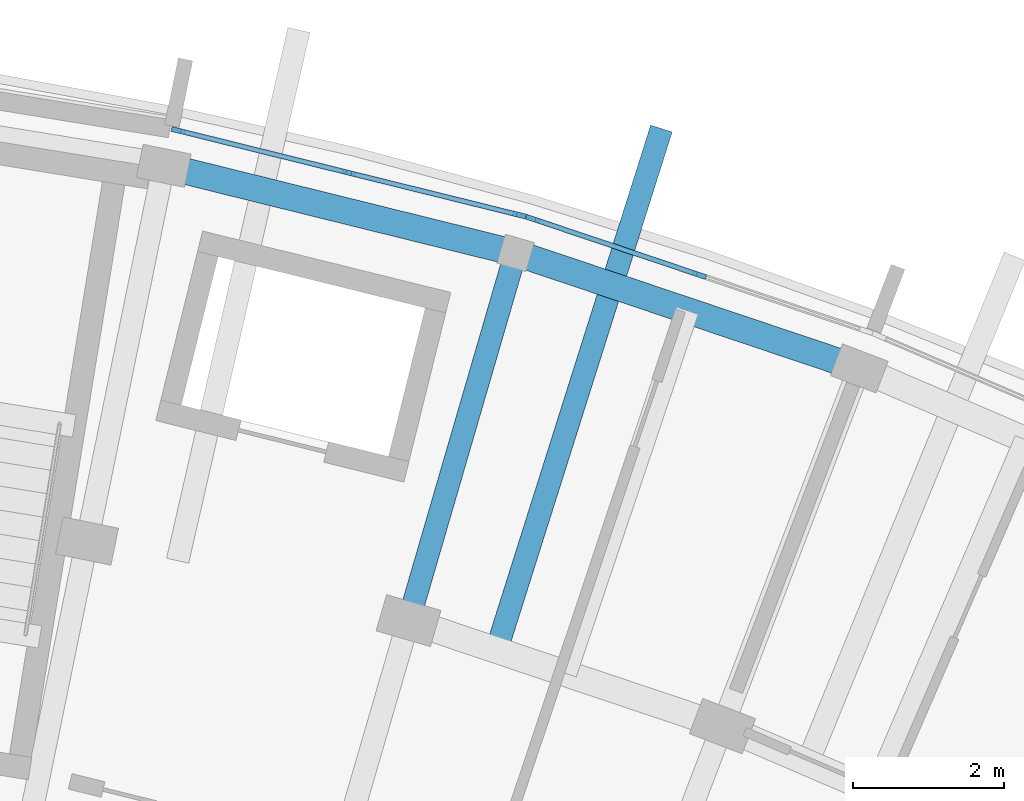
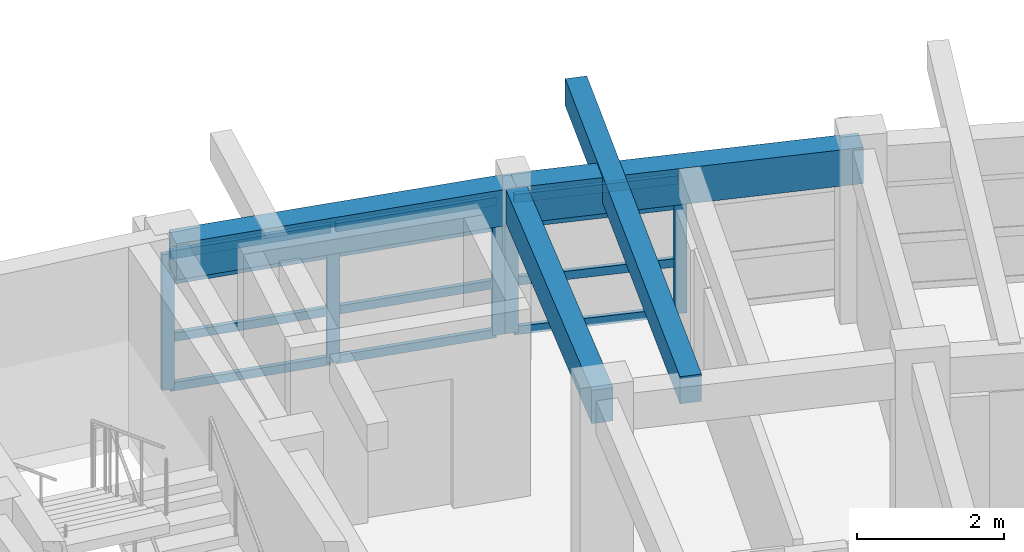
# One storey, part 7 of 38: 17 members, 4 beams, 2 elements without a shape of their own.
"""IFC4 building model written with IfcOpenShell, lengths in metres."""

from ifc_helpers import new_model, si_unit, direction, frame, origin, origin_2d, place, context, subcontext, project, spatial, rectangle, extrude, material, material_profile, profile_set, type_object, element, aggregate, save


model = new_model("IFC4")

# Units and contexts
model_context = context("Model", 3, precision=1e-05, world=origin(), true_north=direction((0.0, 1.0)))
body_context = subcontext(model_context, "Body", "Model", "MODEL_VIEW")
ifc_project = project(units=[si_unit("LENGTHUNIT", "METRE"), si_unit("AREAUNIT", "SQUARE_METRE"), si_unit("VOLUMEUNIT", "CUBIC_METRE"), si_unit("PLANEANGLEUNIT", "RADIAN"), si_unit("MASSUNIT", "GRAM", prefix="KILO")], contexts=[model_context])

# Site, building, storey
site_placement = place(None, origin())
site = spatial("IfcSite", under=ifc_project, at=site_placement, CompositionType="ELEMENT")
building_placement = place(site_placement, origin())
building = spatial("IfcBuilding", under=site, at=building_placement, Name="Zimvara Arc Housing Community", CompositionType="ELEMENT")
storey_placement = place(building_placement, frame((0.0, 0.0, 29.800048828125)))
storey = spatial("IfcBuildingStorey", under=building, at=storey_placement, Name="L09", CompositionType="ELEMENT", Elevation=29.800048828125)

# Beams
ifc_material_1 = material(Name="Concrete C40/50", Category="concrete")
ifc_material_profile_1 = material_profile(ifc_material_1, rectangle(XDim=0.300048828125, YDim=0.449951171875, at=origin_2d()), Name="RC 300x450")
ifc_profile_set_1 = profile_set([ifc_material_profile_1], Name="Concrete C40/50")
beam_type_1 = type_object("IfcBeamType", Name="BM-RC-300x450", PredefinedType="JOIST", material=ifc_profile_set_1)
beam_1_placement = place(storey_placement, frame((61.22314453125, 95.795654296875, 2.6650390625), z_axis=(0.301521356078, 0.953459423273, 0.0), x_axis=(-0.953459423273, 0.301521356078, 0.0)))
element("IfcBeam", 1, at=beam_1_placement, inside=storey, type_object=beam_type_1, Name="bm:blkB:L09:cant_out:b3", PredefinedType="JOIST", context=body_context, shape_type="SweptSolid", body=[
    extrude(rectangle(XDim=0.300048828125, YDim=0.449951171875, at=origin_2d()), origin(), (0.0, 0.0, 1.0), 7.219970703125),
])
ifc_material_2 = material(Name="Concrete C40/50", Category="concrete")
ifc_material_profile_2 = material_profile(ifc_material_2, rectangle(XDim=0.300048828125, YDim=0.550048828125, at=origin_2d()), Name="RC 300x550")
ifc_profile_set_2 = profile_set([ifc_material_profile_2], Name="Concrete C40/50")
beam_type_2 = type_object("IfcBeamType", Name="BM-RC-300x550", PredefinedType="BEAM", material=ifc_profile_set_2)
beam_2_placement = place(storey_placement, frame((60.0458984375, 96.1533203125, 2.5849609375), z_axis=(0.279662254096, 0.960098444762, 0.0), x_axis=(-0.960098444762, 0.279662254096, 0.0)))
element("IfcBeam", 2, at=beam_2_placement, inside=storey, type_object=beam_type_2, Name="bm:blkB:L09:rad:b3:r23", PredefinedType="BEAM", context=body_context, shape_type="SweptSolid", body=[
    extrude(rectangle(XDim=0.300048828125, YDim=0.550048828125, at=origin_2d()), origin(), (0.0, 0.0, 1.0), 5.079833984375),
])
ifc_material_3 = material(Name="Concrete C40/50", Category="concrete")
ifc_material_profile_3 = material_profile(ifc_material_3, rectangle(XDim=0.35009765625, YDim=0.60009765625, at=origin_2d()), Name="RC 350x600")
ifc_profile_set_3 = profile_set([ifc_material_profile_3], Name="Concrete C40/50")
beam_type_3 = type_object("IfcBeamType", Name="BM-RC-350x600", PredefinedType="BEAM", material=ifc_profile_set_3)
beam_3_placement = place(storey_placement, frame((56.79931640625, 102.185546875, 2.56005859375), z_axis=(0.970716235341, -0.240229037474, 0.0), x_axis=(0.240229037474, 0.970716235341, 0.0)))
element("IfcBeam", 3, at=beam_3_placement, inside=storey, type_object=beam_type_3, Name="bm:blkB:L09:chord:r3:b2", PredefinedType="BEAM", context=body_context, shape_type="SweptSolid", body=[
    extrude(rectangle(XDim=0.35009765625, YDim=0.60009765625, at=origin_2d()), origin(), (0.0, 0.0, 1.0), 4.80810546875),
])
beam_4_placement = place(storey_placement, frame((61.466552734375, 101.030517578125, 2.56005859375), z_axis=(0.947877948153, -0.31863363822, 0.0), x_axis=(0.31863363822, 0.947877948153, 0.0)))
element("IfcBeam", 4, at=beam_4_placement, inside=storey, type_object=beam_type_3, Name="bm:blkB:L09:chord:r3:b3", PredefinedType="BEAM", context=body_context, shape_type="SweptSolid", body=[
    extrude(rectangle(XDim=0.35009765625, YDim=0.60009765625, at=origin_2d()), origin(), (0.0, 0.0, 1.0), 4.807861328125),
])

# Curtain wall, members
ifc_material_4 = material(Name="Anodised Aluminium AW-6063", Category="aluminium")
curtain_wall_type_1 = type_object("IfcCurtainWallType", Name="CW-SYS-04", PredefinedType="USERDEFINED", material=ifc_material_4)
curtain_wall_1_placement = place(storey_placement, origin())
curtain_wall_1 = element("IfcCurtainWall", 5, at=curtain_wall_1_placement, inside=storey, type_object=curtain_wall_type_1, Name="cw:blkB:L09:out:b2", ObjectType="CURTAIN WALL", PredefinedType="USERDEFINED")
ifc_material_5 = material(Name="Anodised Aluminium AW-6063", Category="aluminium")
ifc_material_profile_4 = material_profile(ifc_material_5, rectangle(XDim=0.06494140625, YDim=0.179931640625, at=origin_2d()), Name="ALU 65x180")
ifc_profile_set_4 = profile_set([ifc_material_profile_4], Name="Anodised Aluminium AW-6063")
member_type_1 = type_object("IfcMemberType", Name="CWM-65x150", PredefinedType="MULLION", material=ifc_profile_set_4)
member_1_placement = place(storey_placement, frame((56.9892578125, 102.6533203125, 0.0), z_axis=(0.0, 0.0, 1.0), x_axis=(0.240229711131, 0.970716068627, 0.0)))
member_1 = element("IfcMember", 6, at=member_1_placement, type_object=member_type_1, Name="CW04 mullion 1", PredefinedType="MULLION", context=body_context, shape_type="SweptSolid", body=[
    extrude(rectangle(XDim=0.06494140625, YDim=0.179931640625, at=origin_2d()), origin(), (0.0, 0.0, 1.0), 2.25),
])
member_2_placement = place(storey_placement, frame((59.2529296875, 102.093017578125, 0.0), z_axis=(0.0, 0.0, 1.0), x_axis=(0.240229711131, 0.970716068627, 0.0)))
member_2 = element("IfcMember", 7, at=member_2_placement, type_object=member_type_1, Name="CW04 mullion 2", PredefinedType="MULLION", context=body_context, shape_type="SweptSolid", body=[
    extrude(rectangle(XDim=0.06494140625, YDim=0.179931640625, at=origin_2d()), origin(), (0.0, 0.0, 1.0), 2.25),
])
member_3_placement = place(storey_placement, frame((61.5166015625, 101.532958984375, 0.0), z_axis=(0.0, 0.0, 1.0), x_axis=(0.240229711131, 0.970716068627, 0.0)))
member_3 = element("IfcMember", 8, at=member_3_placement, type_object=member_type_1, Name="CW04 mullion 3", PredefinedType="MULLION", context=body_context, shape_type="SweptSolid", body=[
    extrude(rectangle(XDim=0.06494140625, YDim=0.179931640625, at=origin_2d()), origin(), (0.0, 0.0, 1.0), 2.25),
])

ifc_material_6 = material(Name="Anodised Aluminium AW-6063", Category="aluminium")
curtain_wall_type_2 = type_object("IfcCurtainWallType", Name="CW-SYS-06", PredefinedType="USERDEFINED", material=ifc_material_6)
curtain_wall_2_placement = place(storey_placement, origin())
curtain_wall_2 = element("IfcCurtainWall", 9, at=curtain_wall_2_placement, inside=storey, type_object=curtain_wall_type_2, Name="cw:blkB:L09:out:b3", ObjectType="CURTAIN WALL", PredefinedType="USERDEFINED")
member_4_placement = place(storey_placement, frame((61.694091796875, 101.481201171875, 0.0), z_axis=(0.0, 0.0, 1.0), x_axis=(0.318628583921, 0.947879647164, 0.0)))
member_4 = element("IfcMember", 10, at=member_4_placement, type_object=member_type_1, Name="CW06 mullion 1", PredefinedType="MULLION", context=body_context, shape_type="SweptSolid", body=[
    extrude(rectangle(XDim=0.06494140625, YDim=0.179931640625, at=origin_2d()), origin(), (0.0, 0.0, 1.0), 2.25),
])
member_5_placement = place(storey_placement, frame((63.904296875, 100.73828125, 0.0), z_axis=(0.0, 0.0, 1.0), x_axis=(0.318628583921, 0.947879647164, 0.0)))
member_5 = element("IfcMember", 11, at=member_5_placement, type_object=member_type_1, Name="CW06 mullion 2", PredefinedType="MULLION", context=body_context, shape_type="SweptSolid", body=[
    extrude(rectangle(XDim=0.06494140625, YDim=0.179931640625, at=origin_2d()), origin(), (0.0, 0.0, 1.0), 2.25),
])

# Member
ifc_material_7 = material(Name="Anodised Aluminium AW-6063", Category="aluminium")
ifc_material_profile_5 = material_profile(ifc_material_7, rectangle(XDim=0.06494140625, YDim=0.139892578125, at=origin_2d()), Name="ALU 65x140")
ifc_profile_set_5 = profile_set([ifc_material_profile_5], Name="Anodised Aluminium AW-6063")
member_type_2 = type_object("IfcMemberType", Name="CWT-65x120", PredefinedType="USERDEFINED", material=ifc_profile_set_5)
member_6_placement = place(storey_placement, frame((57.020751953125, 102.6455078125, 0.032470703125), z_axis=(0.970703721793, -0.240279596507, 0.0), x_axis=(0.240279596507, 0.970703721793, 0.0)))
member_6 = element("IfcMember", 12, at=member_6_placement, type_object=member_type_2, Name="CW04 transom 1.1", ObjectType="TRANSOM", PredefinedType="USERDEFINED", context=body_context, shape_type="SweptSolid", body=[
    extrude(rectangle(XDim=0.06494140625, YDim=0.139892578125, at=origin_2d()), origin(), (0.0, 0.0, 1.0), 2.266845703125),
])

member_7_placement = place(storey_placement, frame((57.020751953125, 102.6455078125, 0.849853515625), z_axis=(0.970703721793, -0.240279596507, 0.0), x_axis=(0.240279596507, 0.970703721793, 0.0)))
member_7 = element("IfcMember", 13, at=member_7_placement, type_object=member_type_2, Name="CW04 transom 1.2", ObjectType="TRANSOM", PredefinedType="USERDEFINED", context=body_context, shape_type="SweptSolid", body=[
    extrude(rectangle(XDim=0.06494140625, YDim=0.139892578125, at=origin_2d()), origin(), (0.0, 0.0, 1.0), 2.266845703125),
])

member_8_placement = place(storey_placement, frame((57.020751953125, 102.6455078125, 1.800048828125), z_axis=(0.970703721793, -0.240279596507, 0.0), x_axis=(0.240279596507, 0.970703721793, 0.0)))
member_8 = element("IfcMember", 14, at=member_8_placement, type_object=member_type_2, Name="CW04 transom 1.3", ObjectType="TRANSOM", PredefinedType="USERDEFINED", context=body_context, shape_type="SweptSolid", body=[
    extrude(rectangle(XDim=0.06494140625, YDim=0.139892578125, at=origin_2d()), origin(), (0.0, 0.0, 1.0), 2.266845703125),
])

member_9_placement = place(storey_placement, frame((57.020751953125, 102.6455078125, 2.217529296875), z_axis=(0.970703721793, -0.240279596507, 0.0), x_axis=(0.240279596507, 0.970703721793, 0.0)))
member_9 = element("IfcMember", 15, at=member_9_placement, type_object=member_type_2, Name="CW04 transom 1.4", ObjectType="TRANSOM", PredefinedType="USERDEFINED", context=body_context, shape_type="SweptSolid", body=[
    extrude(rectangle(XDim=0.06494140625, YDim=0.139892578125, at=origin_2d()), origin(), (0.0, 0.0, 1.0), 2.266845703125),
])

member_10_placement = place(storey_placement, frame((59.284423828125, 102.085205078125, 0.032470703125), z_axis=(0.970728837212, -0.240178110172, 0.0), x_axis=(0.240178110172, 0.970728837212, 0.0)))
member_10 = element("IfcMember", 16, at=member_10_placement, type_object=member_type_2, Name="CW04 transom 2.1", ObjectType="TRANSOM", PredefinedType="USERDEFINED", context=body_context, shape_type="SweptSolid", body=[
    extrude(rectangle(XDim=0.06494140625, YDim=0.139892578125, at=origin_2d()), origin(), (0.0, 0.0, 1.0), 2.266845703125),
])

member_11_placement = place(storey_placement, frame((59.284423828125, 102.085205078125, 0.849853515625), z_axis=(0.970728837212, -0.240178110172, 0.0), x_axis=(0.240178110172, 0.970728837212, 0.0)))
member_11 = element("IfcMember", 17, at=member_11_placement, type_object=member_type_2, Name="CW04 transom 2.2", ObjectType="TRANSOM", PredefinedType="USERDEFINED", context=body_context, shape_type="SweptSolid", body=[
    extrude(rectangle(XDim=0.06494140625, YDim=0.139892578125, at=origin_2d()), origin(), (0.0, 0.0, 1.0), 2.266845703125),
])

member_12_placement = place(storey_placement, frame((59.284423828125, 102.085205078125, 1.800048828125), z_axis=(0.970728837212, -0.240178110172, 0.0), x_axis=(0.240178110172, 0.970728837212, 0.0)))
member_12 = element("IfcMember", 18, at=member_12_placement, type_object=member_type_2, Name="CW04 transom 2.3", ObjectType="TRANSOM", PredefinedType="USERDEFINED", context=body_context, shape_type="SweptSolid", body=[
    extrude(rectangle(XDim=0.06494140625, YDim=0.139892578125, at=origin_2d()), origin(), (0.0, 0.0, 1.0), 2.266845703125),
])

member_13_placement = place(storey_placement, frame((59.284423828125, 102.085205078125, 2.217529296875), z_axis=(0.970728837212, -0.240178110172, 0.0), x_axis=(0.240178110172, 0.970728837212, 0.0)))
member_13 = element("IfcMember", 19, at=member_13_placement, type_object=member_type_2, Name="CW04 transom 2.4", ObjectType="TRANSOM", PredefinedType="USERDEFINED", context=body_context, shape_type="SweptSolid", body=[
    extrude(rectangle(XDim=0.06494140625, YDim=0.139892578125, at=origin_2d()), origin(), (0.0, 0.0, 1.0), 2.266845703125),
])

aggregate(curtain_wall_1, [member_1, member_2, member_3, member_6, member_7, member_8, member_9, member_10, member_11, member_12, member_13])

member_14_placement = place(storey_placement, frame((61.724853515625, 101.470947265625, 0.032470703125), z_axis=(0.947861605379, -0.318682250916, 0.0), x_axis=(0.318682250916, 0.947861605379, 0.0)))
member_14 = element("IfcMember", 20, at=member_14_placement, type_object=member_type_2, Name="CW06 transom 1.1", ObjectType="TRANSOM", PredefinedType="USERDEFINED", context=body_context, shape_type="SweptSolid", body=[
    extrude(rectangle(XDim=0.06494140625, YDim=0.139892578125, at=origin_2d()), origin(), (0.0, 0.0, 1.0), 2.266845703125),
])

member_15_placement = place(storey_placement, frame((61.724853515625, 101.470947265625, 0.849853515625), z_axis=(0.947861605379, -0.318682250916, 0.0), x_axis=(0.318682250916, 0.947861605379, 0.0)))
member_15 = element("IfcMember", 21, at=member_15_placement, type_object=member_type_2, Name="CW06 transom 1.2", ObjectType="TRANSOM", PredefinedType="USERDEFINED", context=body_context, shape_type="SweptSolid", body=[
    extrude(rectangle(XDim=0.06494140625, YDim=0.139892578125, at=origin_2d()), origin(), (0.0, 0.0, 1.0), 2.266845703125),
])

member_16_placement = place(storey_placement, frame((61.724853515625, 101.470947265625, 1.800048828125), z_axis=(0.947861605379, -0.318682250916, 0.0), x_axis=(0.318682250916, 0.947861605379, 0.0)))
member_16 = element("IfcMember", 22, at=member_16_placement, type_object=member_type_2, Name="CW06 transom 1.3", ObjectType="TRANSOM", PredefinedType="USERDEFINED", context=body_context, shape_type="SweptSolid", body=[
    extrude(rectangle(XDim=0.06494140625, YDim=0.139892578125, at=origin_2d()), origin(), (0.0, 0.0, 1.0), 2.266845703125),
])

member_17_placement = place(storey_placement, frame((61.724853515625, 101.470947265625, 2.217529296875), z_axis=(0.947861605379, -0.318682250916, 0.0), x_axis=(0.318682250916, 0.947861605379, 0.0)))
member_17 = element("IfcMember", 23, at=member_17_placement, type_object=member_type_2, Name="CW06 transom 1.4", ObjectType="TRANSOM", PredefinedType="USERDEFINED", context=body_context, shape_type="SweptSolid", body=[
    extrude(rectangle(XDim=0.06494140625, YDim=0.139892578125, at=origin_2d()), origin(), (0.0, 0.0, 1.0), 2.266845703125),
])

aggregate(curtain_wall_2, [member_4, member_5, member_14, member_15, member_16, member_17])

save(model, "model.ifc")
